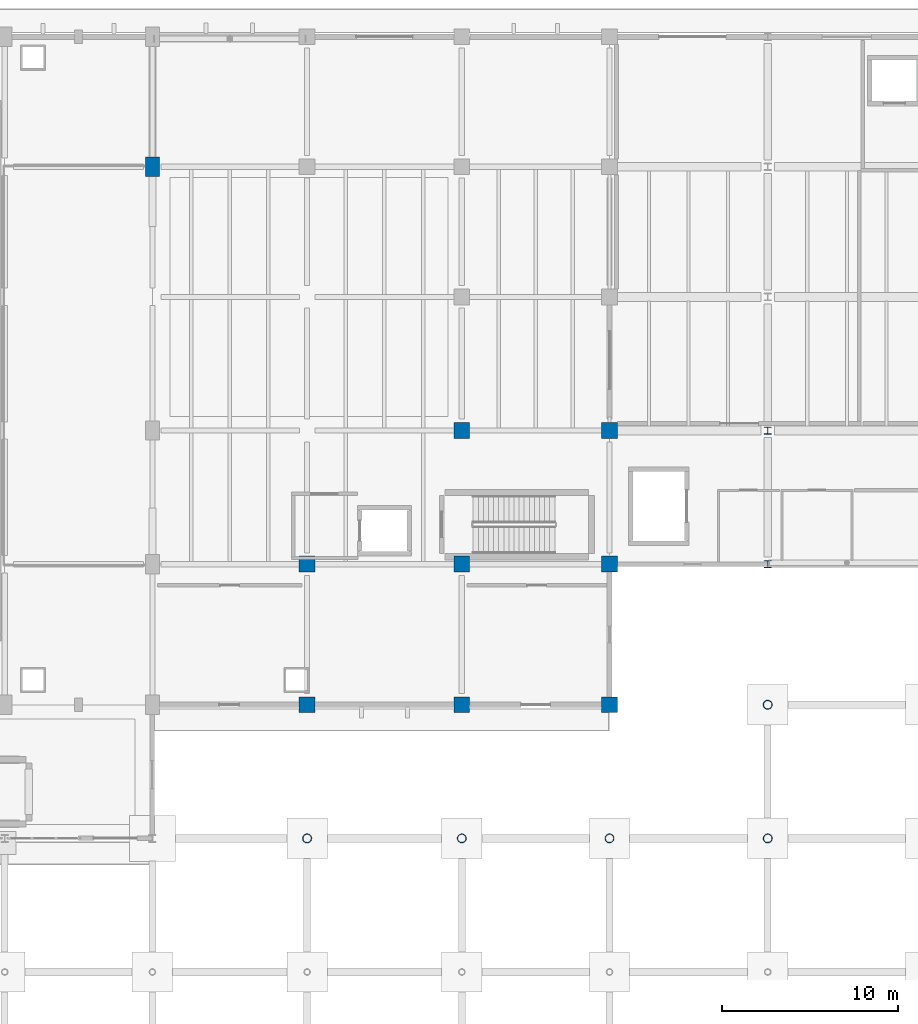
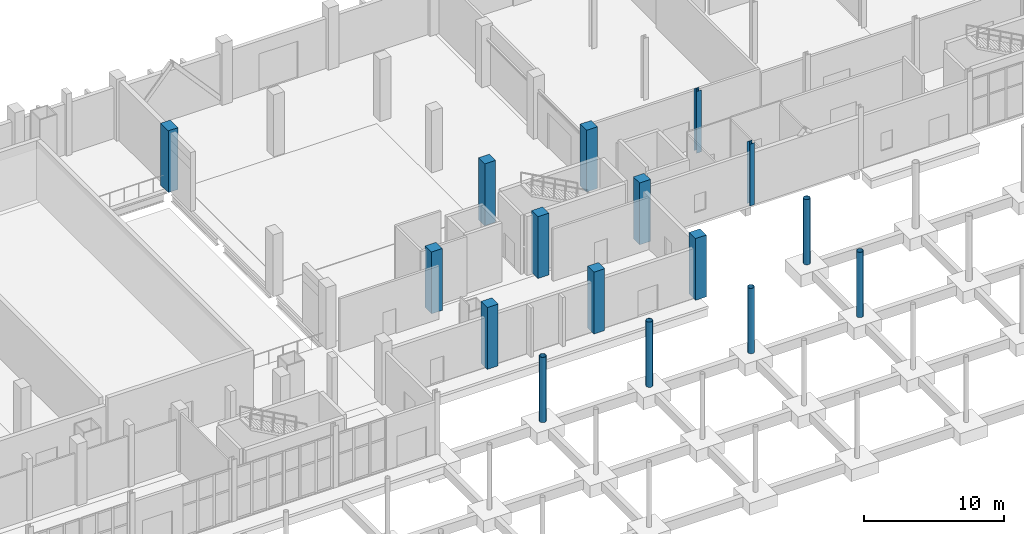
# One storey, part 13 of 95: 16 columns.
"""IFC4 building model written with IfcOpenShell, lengths in metres."""

from ifc_helpers import new_model, si_unit, direction, frame, origin, origin_2d, place, context, subcontext, project, spatial, rectangle, hollow_circle, i_section, extrude, material, material_profile, profile_set, type_object, element, save


model = new_model("IFC4")

# Units and contexts
model_context = context("Model", 3, precision=1e-05, world=origin(), true_north=direction((0.0, 1.0)))
body_context = subcontext(model_context, "Body", "Model", "MODEL_VIEW")
ifc_project = project(units=[si_unit("LENGTHUNIT", "METRE"), si_unit("AREAUNIT", "SQUARE_METRE"), si_unit("VOLUMEUNIT", "CUBIC_METRE"), si_unit("PLANEANGLEUNIT", "RADIAN"), si_unit("MASSUNIT", "GRAM", prefix="KILO")], contexts=[model_context])

# Site, building, storey
site_placement = place(None, origin())
site = spatial("IfcSite", under=ifc_project, at=site_placement, CompositionType="ELEMENT")
building_placement = place(site_placement, origin())
building = spatial("IfcBuilding", under=site, at=building_placement, Name="Shengluoqiao Park Theatre", CompositionType="ELEMENT")
storey_placement = place(building_placement, origin())
storey = spatial("IfcBuildingStorey", under=building, at=storey_placement, Name="L00", CompositionType="ELEMENT", Elevation=0.0)

# Columns
ifc_material_1 = material(Name="Steel Q390", Category="steel")
ifc_material_profile_1 = material_profile(ifc_material_1, hollow_circle(Radius=0.25390625, WallThickness=0.02001953125, at=origin_2d()), Name="CHS 508x20")
ifc_profile_set_1 = profile_set([ifc_material_profile_1], Name="Steel Q390")
column_type_1 = type_object("IfcColumnType", Name="STR-COL-C-CHS508", PredefinedType="COLUMN", material=ifc_profile_set_1)
for number, where, z_axis, x_axis, name in (
    (1, (95.199951171875, 68.39990234375, -0.300048828125), (0.0, 0.0, 1.0), (1.0, 0.0, 0.0), "L00 Column 0461"),
    (2, (104.0, 68.39990234375, -0.300048828125), (0.0, 0.0, 1.0), (1.0, 0.0, 0.0), "L00 Column 0495"),
    (3, (112.39990234375, 68.39990234375, -0.300048828125), (0.0, 0.0, 1.0), (1.0, 0.0, 0.0), "L00 Column 0541"),
    (4, (121.39990234375, 68.39990234375, -0.300048828125), (0.0, 0.0, 1.0), (1.0, 0.0, 0.0), "L00 Column 0587"),
    (5, (121.39990234375, 76.0, -0.300048828125), (0.0, 0.0, 1.0), (1.0, 0.0, 0.0), "L00 Column 0590"),
):
    element("IfcColumn", number, at=place(storey_placement, frame(where, z_axis=z_axis, x_axis=x_axis)), inside=storey, type_object=column_type_1, Name=name, PredefinedType="COLUMN", context=body_context, shape_type="SweptSolid", body=[
        extrude(hollow_circle(Radius=0.25390625, WallThickness=0.02001953125, at=origin_2d()), origin(), (0.0, 0.0, 1.0), 5.699951171875),
    ])
ifc_material_profile_2 = material_profile(ifc_material_1, i_section(OverallWidth=0.407958984375, OverallDepth=0.39990234375, WebThickness=0.02099609375, FlangeThickness=0.02099609375, FilletRadius=0.02197265625, at=origin_2d()), Name="HW 400x408x21x21")
ifc_profile_set_2 = profile_set([ifc_material_profile_2], Name="Steel Q390")
column_type_2 = type_object("IfcColumnType", Name="STR-COL-C-HW408", PredefinedType="COLUMN", material=ifc_profile_set_2)
for number, where, z_axis, x_axis, name in (
    (6, (121.39990234375, 84.0, 0.0), (0.0, 0.0, 1.0), (1.0, 0.0, 0.0), "L00 Column 0594"),
    (7, (121.39990234375, 91.60009765625, 0.0), (0.0, 0.0, 1.0), (1.0, 0.0, 0.0), "L00 Column 0601"),
):
    element("IfcColumn", number, at=place(storey_placement, frame(where, z_axis=z_axis, x_axis=x_axis)), inside=storey, type_object=column_type_2, Name=name, PredefinedType="COLUMN", context=body_context, shape_type="SweptSolid", body=[
        extrude(i_section(OverallWidth=0.407958984375, OverallDepth=0.39990234375, WebThickness=0.02099609375, FlangeThickness=0.02099609375, FilletRadius=0.02197265625, at=origin_2d()), origin(), (0.0, 0.0, 1.0), 5.39990234375),
    ])
ifc_material_2 = material(Name="Concrete C50", Category="concrete")
ifc_material_profile_3 = material_profile(ifc_material_2, rectangle(XDim=0.800048828125, YDim=1.10009765625, at=origin_2d()), Name="RC 800x1100")
ifc_profile_set_3 = profile_set([ifc_material_profile_3], Name="Concrete C50")
column_type_3 = type_object("IfcColumnType", Name="STR-COL-C-RC8011", PredefinedType="COLUMN", material=ifc_profile_set_3)
column_placement = place(storey_placement, frame((86.39990234375, 106.60009765625, 0.0), z_axis=(0.0, 0.0, 1.0), x_axis=(1.0, 0.0, 0.0)))
element("IfcColumn", 8, at=column_placement, inside=storey, type_object=column_type_3, Name="L00 Column 0444", PredefinedType="COLUMN", context=body_context, shape_type="SweptSolid", body=[
    extrude(rectangle(XDim=0.800048828125, YDim=1.10009765625, at=origin_2d()), origin(), (0.0, 0.0, 1.0), 5.39990234375),
])
ifc_material_profile_4 = material_profile(ifc_material_2, rectangle(XDim=0.89990234375, YDim=0.89990234375, at=origin_2d()), Name="RC 900x900")
ifc_profile_set_4 = profile_set([ifc_material_profile_4], Name="Concrete C50")
column_type_4 = type_object("IfcColumnType", Name="STR-COL-C-RC900", PredefinedType="COLUMN", material=ifc_profile_set_4)
for number, where, z_axis, x_axis, name in (
    (9, (95.199951171875, 76.0, 0.0), (0.0, 0.0, 1.0), (1.0, 0.0, 0.0), "L00 Column 0465"),
    (10, (95.199951171875, 84.0, 0.0), (0.0, 0.0, 1.0), (1.0, 0.0, 0.0), "L00 Column 0469"),
    (11, (104.0, 76.0, 0.0), (0.0, 0.0, 1.0), (1.0, 0.0, 0.0), "L00 Column 0499"),
    (12, (104.0, 84.0, 0.0), (0.0, 0.0, 1.0), (1.0, 0.0, 0.0), "L00 Column 0503"),
    (13, (104.0, 91.60009765625, 0.0), (0.0, 0.0, 1.0), (1.0, 0.0, 0.0), "L00 Column 0510"),
    (14, (112.39990234375, 76.0, 0.0), (0.0, 0.0, 1.0), (1.0, 0.0, 0.0), "L00 Column 0545"),
    (15, (112.39990234375, 84.0, 0.0), (0.0, 0.0, 1.0), (1.0, 0.0, 0.0), "L00 Column 0549"),
    (16, (112.39990234375, 91.60009765625, 0.0), (0.0, 0.0, 1.0), (1.0, 0.0, 0.0), "L00 Column 0556"),
):
    element("IfcColumn", number, at=place(storey_placement, frame(where, z_axis=z_axis, x_axis=x_axis)), inside=storey, type_object=column_type_4, Name=name, PredefinedType="COLUMN", context=body_context, shape_type="SweptSolid", body=[
        extrude(rectangle(XDim=0.89990234375, YDim=0.89990234375, at=origin_2d()), origin(), (0.0, 0.0, 1.0), 5.39990234375),
    ])

save(model, "model.ifc")
